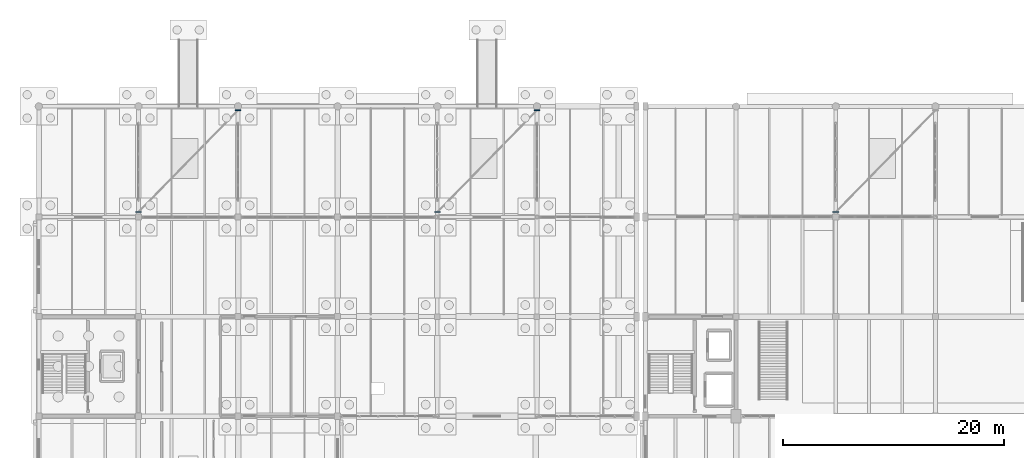
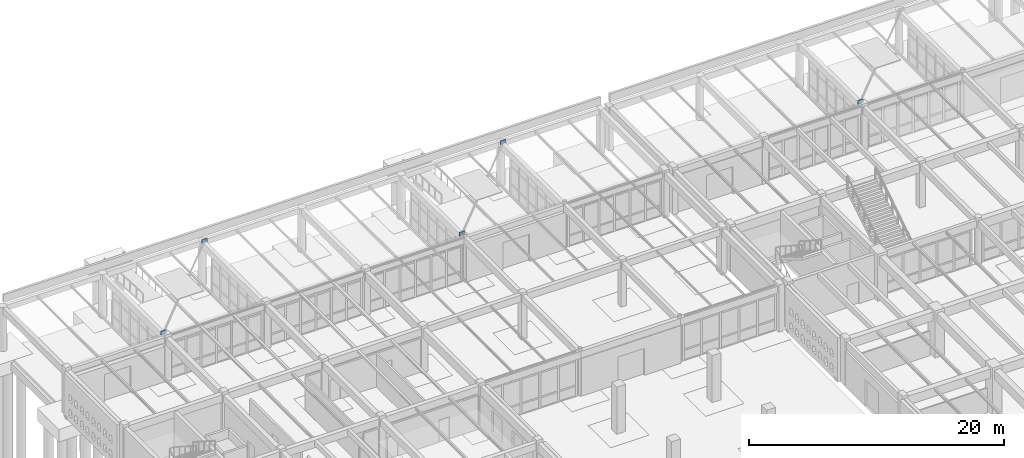
# One storey, part 156 of 186: 5 plates.
"""IFC4 building model written with IfcOpenShell, lengths in metres."""

from ifc_helpers import new_model, si_unit, direction, frame, origin, origin_2d, place, context, subcontext, project, spatial, rectangle, extrude, material, layer, layer_set, type_object, element, save


model = new_model("IFC4")

# Units and contexts
model_context = context("Model", 3, precision=1e-05, world=origin(), true_north=direction((0.0, 1.0)))
body_context = subcontext(model_context, "Body", "Model", "MODEL_VIEW")
ifc_project = project(units=[si_unit("LENGTHUNIT", "METRE"), si_unit("AREAUNIT", "SQUARE_METRE"), si_unit("VOLUMEUNIT", "CUBIC_METRE"), si_unit("PLANEANGLEUNIT", "RADIAN"), si_unit("MASSUNIT", "GRAM", prefix="KILO")], contexts=[model_context])

# Site, building, storey
site_placement = place(None, origin())
site = spatial("IfcSite", under=ifc_project, at=site_placement, CompositionType="ELEMENT")
building_placement = place(site_placement, origin())
building = spatial("IfcBuilding", under=site, at=building_placement, Name="Ornek Quay Market", CompositionType="ELEMENT")
storey_placement = place(building_placement, origin())
storey = spatial("IfcBuildingStorey", under=building, at=storey_placement, Name="L00", CompositionType="ELEMENT", Elevation=0.0)

# Plates
ifc_material = material(Name="Steel S355", Category="steel")
ifc_layer = layer(ifc_material, 0.02001953125, Name="Steel S355", Category="steel")
ifc_layer_set = layer_set([ifc_layer], Name="Steel S355")
plate_type = type_object("IfcPlateType", Name="PL-FLG-500x350x20", PredefinedType="USERDEFINED", material=ifc_layer_set)
for number, where, z_axis, x_axis, name in (
    (1, (9.0, 110.449951171875, 4.0849609375), (0.0, 0.0, 1.0), (1.0, 0.0, 0.0), "Quay brace end plate QP-011"),
    (2, (18.0, 119.64990234375, 4.0849609375), (0.0, 0.0, 1.0), (1.0, 0.0, 0.0), "Quay brace end plate QP-012"),
    (3, (36.0, 110.449951171875, 4.0849609375), (0.0, 0.0, 1.0), (1.0, 0.0, 0.0), "Quay brace end plate QP-021"),
    (4, (45.0, 119.64990234375, 4.0849609375), (0.0, 0.0, 1.0), (1.0, 0.0, 0.0), "Quay brace end plate QP-022"),
    (5, (72.0, 110.449951171875, 4.0849609375), (0.0, 0.0, 1.0), (1.0, 0.0, 0.0), "Quay brace end plate QP-031"),
):
    element("IfcPlate", number, at=place(storey_placement, frame(where, z_axis=z_axis, x_axis=x_axis)), inside=storey, type_object=plate_type, Name=name, ObjectType="FLANGE PLATE", PredefinedType="USERDEFINED", context=body_context, shape_type="SweptSolid", body=[
        extrude(rectangle(XDim=0.5, YDim=0.080078125, at=origin_2d()), origin(), (0.0, 0.0, 1.0), 0.35009765625),
    ])

save(model, "model.ifc")
